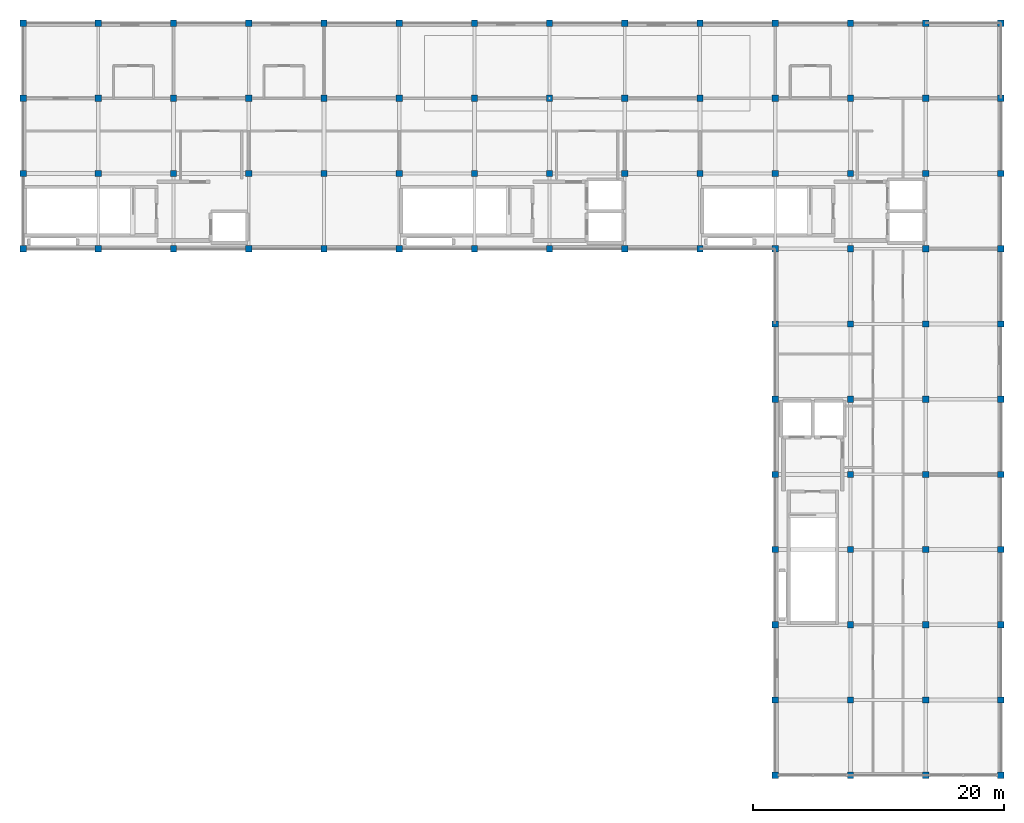
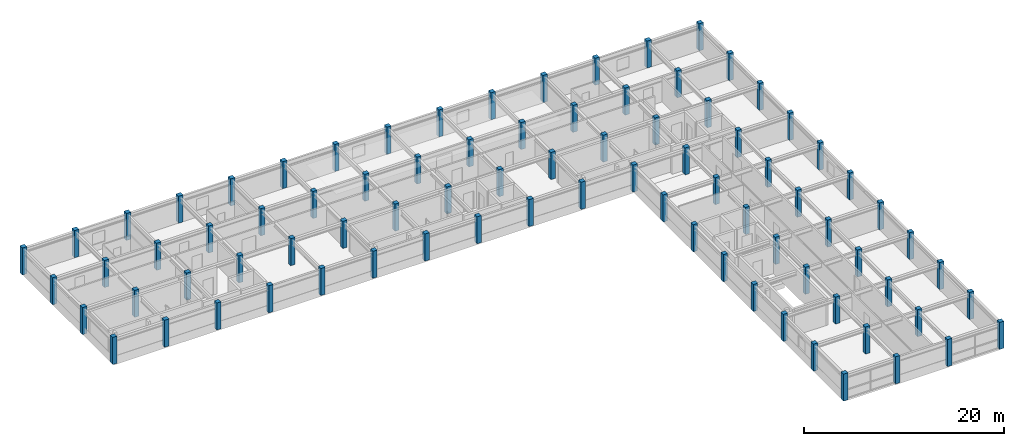
# One storey, part 1 of 11: 84 columns.
"""IFC4 building model written with IfcOpenShell, lengths in metres."""

from ifc_helpers import new_model, si_unit, direction, frame, origin, origin_2d, place, context, subcontext, project, spatial, rectangle, extrude, material, material_profile, profile_set, type_object, element, save


model = new_model("IFC4")

# Units and contexts
model_context = context("Model", 3, precision=1e-05, world=origin(), true_north=direction((0.0, 1.0)))
body_context = subcontext(model_context, "Body", "Model", "MODEL_VIEW")
ifc_project = project(units=[si_unit("LENGTHUNIT", "METRE"), si_unit("AREAUNIT", "SQUARE_METRE"), si_unit("VOLUMEUNIT", "CUBIC_METRE"), si_unit("PLANEANGLEUNIT", "RADIAN"), si_unit("MASSUNIT", "GRAM", prefix="KILO"), si_unit("THERMODYNAMICTEMPERATUREUNIT", "KELVIN"), si_unit("POWERUNIT", "WATT")], contexts=[model_context])

# Site, building, storey
site_placement = place(None, origin())
site = spatial("IfcSite", under=ifc_project, at=site_placement, CompositionType="ELEMENT")
building_placement = place(site_placement, origin())
building = spatial("IfcBuilding", under=site, at=building_placement, Name="Phaisarnlok Congress Hotel", CompositionType="ELEMENT")
storey_placement = place(building_placement, frame((0.0, 0.0, 51.300048828125)))
storey = spatial("IfcBuildingStorey", under=building, at=storey_placement, Name="L13", CompositionType="ELEMENT", Elevation=51.300048828125)

# Columns
ifc_material = material(Name="Concrete C50/60", Category="concrete")
ifc_material_profile_1 = material_profile(ifc_material, rectangle(XDim=0.5, YDim=0.5, at=origin_2d()), Name="RC 500x500")
ifc_profile_set_1 = profile_set([ifc_material_profile_1], Name="Concrete C50/60")
column_type_1 = type_object("IfcColumnType", Name="COL-RC-500", PredefinedType="COLUMN", material=ifc_profile_set_1)
for number, where, z_axis, x_axis, name in (
    (1, (102.0, 108.0, 0.0), (0.0, 0.0, 1.0), (1.0, 0.0, 0.0), "Column C-01 (L13)"),
    (2, (102.0, 114.0, 0.0), (0.0, 0.0, 1.0), (1.0, 0.0, 0.0), "Column C-01 (L13)"),
    (3, (102.0, 120.0, 0.0), (0.0, 0.0, 1.0), (1.0, 0.0, 0.0), "Column C-01 (L13)"),
    (4, (108.0, 108.0, 0.0), (0.0, 0.0, 1.0), (1.0, 0.0, 0.0), "Column C-01 (L13)"),
    (5, (108.0, 114.0, 0.0), (0.0, 0.0, 1.0), (1.0, 0.0, 0.0), "Column C-01 (L13)"),
    (6, (108.0, 120.0, 0.0), (0.0, 0.0, 1.0), (1.0, 0.0, 0.0), "Column C-01 (L13)"),
    (7, (114.0, 108.0, 0.0), (0.0, 0.0, 1.0), (1.0, 0.0, 0.0), "Column C-01 (L13)"),
    (8, (114.0, 114.0, 0.0), (0.0, 0.0, 1.0), (1.0, 0.0, 0.0), "Column C-01 (L13)"),
    (9, (114.0, 120.0, 0.0), (0.0, 0.0, 1.0), (1.0, 0.0, 0.0), "Column C-01 (L13)"),
    (10, (120.0, 108.0, 0.0), (0.0, 0.0, 1.0), (1.0, 0.0, 0.0), "Column C-01 (L13)"),
    (11, (120.0, 114.0, 0.0), (0.0, 0.0, 1.0), (1.0, 0.0, 0.0), "Column C-01 (L13)"),
    (12, (120.0, 120.0, 0.0), (0.0, 0.0, 1.0), (1.0, 0.0, 0.0), "Column C-01 (L13)"),
    (13, (126.0, 108.0, 0.0), (0.0, 0.0, 1.0), (1.0, 0.0, 0.0), "Column C-01 (L13)"),
    (14, (126.0, 114.0, 0.0), (0.0, 0.0, 1.0), (1.0, 0.0, 0.0), "Column C-01 (L13)"),
    (15, (126.0, 120.0, 0.0), (0.0, 0.0, 1.0), (1.0, 0.0, 0.0), "Column C-01 (L13)"),
    (16, (132.0, 108.0, 0.0), (0.0, 0.0, 1.0), (1.0, 0.0, 0.0), "Column C-01 (L13)"),
    (17, (132.0, 114.0, 0.0), (0.0, 0.0, 1.0), (1.0, 0.0, 0.0), "Column C-01 (L13)"),
    (18, (132.0, 120.0, 0.0), (0.0, 0.0, 1.0), (1.0, 0.0, 0.0), "Column C-01 (L13)"),
    (19, (138.0, 108.0, 0.0), (0.0, 0.0, 1.0), (1.0, 0.0, 0.0), "Column C-01 (L13)"),
    (20, (138.0, 114.0, 0.0), (0.0, 0.0, 1.0), (1.0, 0.0, 0.0), "Column C-01 (L13)"),
    (21, (138.0, 120.0, 0.0), (0.0, 0.0, 1.0), (1.0, 0.0, 0.0), "Column C-01 (L13)"),
    (22, (144.0, 108.0, 0.0), (0.0, 0.0, 1.0), (1.0, 0.0, 0.0), "Column C-01 (L13)"),
    (23, (144.0, 114.0, 0.0), (0.0, 0.0, 1.0), (1.0, 0.0, 0.0), "Column C-01 (L13)"),
    (24, (144.0, 120.0, 0.0), (0.0, 0.0, 1.0), (1.0, 0.0, 0.0), "Column C-01 (L13)"),
    (25, (150.0, 108.0, 0.0), (0.0, 0.0, 1.0), (1.0, 0.0, 0.0), "Column C-01 (L13)"),
    (26, (150.0, 114.0, 0.0), (0.0, 0.0, 1.0), (1.0, 0.0, 0.0), "Column C-01 (L13)"),
    (27, (150.0, 120.0, 0.0), (0.0, 0.0, 1.0), (1.0, 0.0, 0.0), "Column C-01 (L13)"),
    (28, (156.0, 108.0, 0.0), (0.0, 0.0, 1.0), (1.0, 0.0, 0.0), "Column C-01 (L13)"),
    (29, (156.0, 114.0, 0.0), (0.0, 0.0, 1.0), (1.0, 0.0, 0.0), "Column C-01 (L13)"),
    (30, (156.0, 120.0, 0.0), (0.0, 0.0, 1.0), (1.0, 0.0, 0.0), "Column C-01 (L13)"),
    (31, (162.0, 66.0, 0.0), (0.0, 0.0, 1.0), (1.0, 0.0, 0.0), "Column C-01 (L13)"),
    (32, (162.0, 72.0, 0.0), (0.0, 0.0, 1.0), (1.0, 0.0, 0.0), "Column C-01 (L13)"),
    (33, (162.0, 78.0, 0.0), (0.0, 0.0, 1.0), (1.0, 0.0, 0.0), "Column C-01 (L13)"),
    (34, (162.0, 84.0, 0.0), (0.0, 0.0, 1.0), (1.0, 0.0, 0.0), "Column C-01 (L13)"),
    (35, (162.0, 90.0, 0.0), (0.0, 0.0, 1.0), (1.0, 0.0, 0.0), "Column C-01 (L13)"),
    (36, (162.0, 96.0, 0.0), (0.0, 0.0, 1.0), (1.0, 0.0, 0.0), "Column C-01 (L13)"),
    (37, (162.0, 102.0, 0.0), (0.0, 0.0, 1.0), (1.0, 0.0, 0.0), "Column C-01 (L13)"),
    (38, (162.0, 108.0, 0.0), (0.0, 0.0, 1.0), (1.0, 0.0, 0.0), "Column C-01 (L13)"),
    (39, (162.0, 114.0, 0.0), (0.0, 0.0, 1.0), (1.0, 0.0, 0.0), "Column C-01 (L13)"),
    (40, (162.0, 120.0, 0.0), (0.0, 0.0, 1.0), (1.0, 0.0, 0.0), "Column C-01 (L13)"),
    (41, (168.0, 66.0, 0.0), (0.0, 0.0, 1.0), (1.0, 0.0, 0.0), "Column C-01 (L13)"),
    (42, (168.0, 72.0, 0.0), (0.0, 0.0, 1.0), (1.0, 0.0, 0.0), "Column C-01 (L13)"),
    (43, (168.0, 78.0, 0.0), (0.0, 0.0, 1.0), (1.0, 0.0, 0.0), "Column C-01 (L13)"),
    (44, (168.0, 84.0, 0.0), (0.0, 0.0, 1.0), (1.0, 0.0, 0.0), "Column C-01 (L13)"),
    (45, (168.0, 90.0, 0.0), (0.0, 0.0, 1.0), (1.0, 0.0, 0.0), "Column C-01 (L13)"),
    (46, (168.0, 96.0, 0.0), (0.0, 0.0, 1.0), (1.0, 0.0, 0.0), "Column C-01 (L13)"),
    (47, (168.0, 102.0, 0.0), (0.0, 0.0, 1.0), (1.0, 0.0, 0.0), "Column C-01 (L13)"),
    (48, (168.0, 108.0, 0.0), (0.0, 0.0, 1.0), (1.0, 0.0, 0.0), "Column C-01 (L13)"),
    (49, (168.0, 114.0, 0.0), (0.0, 0.0, 1.0), (1.0, 0.0, 0.0), "Column C-01 (L13)"),
    (50, (168.0, 120.0, 0.0), (0.0, 0.0, 1.0), (1.0, 0.0, 0.0), "Column C-01 (L13)"),
    (51, (174.0, 66.0, 0.0), (0.0, 0.0, 1.0), (1.0, 0.0, 0.0), "Column C-01 (L13)"),
    (52, (174.0, 72.0, 0.0), (0.0, 0.0, 1.0), (1.0, 0.0, 0.0), "Column C-01 (L13)"),
    (53, (174.0, 78.0, 0.0), (0.0, 0.0, 1.0), (1.0, 0.0, 0.0), "Column C-01 (L13)"),
    (54, (174.0, 84.0, 0.0), (0.0, 0.0, 1.0), (1.0, 0.0, 0.0), "Column C-01 (L13)"),
    (55, (174.0, 90.0, 0.0), (0.0, 0.0, 1.0), (1.0, 0.0, 0.0), "Column C-01 (L13)"),
    (56, (174.0, 96.0, 0.0), (0.0, 0.0, 1.0), (1.0, 0.0, 0.0), "Column C-01 (L13)"),
    (57, (174.0, 102.0, 0.0), (0.0, 0.0, 1.0), (1.0, 0.0, 0.0), "Column C-01 (L13)"),
    (58, (174.0, 108.0, 0.0), (0.0, 0.0, 1.0), (1.0, 0.0, 0.0), "Column C-01 (L13)"),
    (59, (174.0, 114.0, 0.0), (0.0, 0.0, 1.0), (1.0, 0.0, 0.0), "Column C-01 (L13)"),
    (60, (174.0, 120.0, 0.0), (0.0, 0.0, 1.0), (1.0, 0.0, 0.0), "Column C-01 (L13)"),
):
    element("IfcColumn", number, at=place(storey_placement, frame(where, z_axis=z_axis, x_axis=x_axis)), inside=storey, type_object=column_type_1, Name=name, PredefinedType="COLUMN", context=body_context, shape_type="SweptSolid", body=[
        extrude(rectangle(XDim=0.5, YDim=0.5, at=origin_2d()), origin(), (0.0, 0.0, 1.0), 3.300048828125),
    ])
ifc_material_profile_2 = material_profile(ifc_material, rectangle(XDim=0.5, YDim=0.5, at=origin_2d()), Name="RC 500x500")
ifc_profile_set_2 = profile_set([ifc_material_profile_2], Name="Concrete C50/60")
column_type_2 = type_object("IfcColumnType", Name="COL-RC-500-EXT", PredefinedType="COLUMN", material=ifc_profile_set_2)
for number, where, z_axis, x_axis, name in (
    (61, (102.0, 126.0, 0.0), (0.0, 0.0, 1.0), (1.0, 0.0, 0.0), "Column C-01E (L13)"),
    (62, (108.0, 126.0, 0.0), (0.0, 0.0, 1.0), (1.0, 0.0, 0.0), "Column C-01E (L13)"),
    (63, (114.0, 126.0, 0.0), (0.0, 0.0, 1.0), (1.0, 0.0, 0.0), "Column C-01E (L13)"),
    (64, (120.0, 126.0, 0.0), (0.0, 0.0, 1.0), (1.0, 0.0, 0.0), "Column C-01E (L13)"),
    (65, (126.0, 126.0, 0.0), (0.0, 0.0, 1.0), (1.0, 0.0, 0.0), "Column C-01E (L13)"),
    (66, (132.0, 126.0, 0.0), (0.0, 0.0, 1.0), (1.0, 0.0, 0.0), "Column C-01E (L13)"),
    (67, (138.0, 126.0, 0.0), (0.0, 0.0, 1.0), (1.0, 0.0, 0.0), "Column C-01E (L13)"),
    (68, (144.0, 126.0, 0.0), (0.0, 0.0, 1.0), (1.0, 0.0, 0.0), "Column C-01E (L13)"),
    (69, (150.0, 126.0, 0.0), (0.0, 0.0, 1.0), (1.0, 0.0, 0.0), "Column C-01E (L13)"),
    (70, (156.0, 126.0, 0.0), (0.0, 0.0, 1.0), (1.0, 0.0, 0.0), "Column C-01E (L13)"),
    (71, (162.0, 126.0, 0.0), (0.0, 0.0, 1.0), (1.0, 0.0, 0.0), "Column C-01E (L13)"),
    (72, (168.0, 126.0, 0.0), (0.0, 0.0, 1.0), (1.0, 0.0, 0.0), "Column C-01E (L13)"),
    (73, (174.0, 126.0, 0.0), (0.0, 0.0, 1.0), (1.0, 0.0, 0.0), "Column C-01E (L13)"),
    (74, (180.0, 66.0, 0.0), (0.0, 0.0, 1.0), (1.0, 0.0, 0.0), "Column C-01E (L13)"),
    (75, (180.0, 72.0, 0.0), (0.0, 0.0, 1.0), (1.0, 0.0, 0.0), "Column C-01E (L13)"),
    (76, (180.0, 78.0, 0.0), (0.0, 0.0, 1.0), (1.0, 0.0, 0.0), "Column C-01E (L13)"),
    (77, (180.0, 84.0, 0.0), (0.0, 0.0, 1.0), (1.0, 0.0, 0.0), "Column C-01E (L13)"),
    (78, (180.0, 90.0, 0.0), (0.0, 0.0, 1.0), (1.0, 0.0, 0.0), "Column C-01E (L13)"),
    (79, (180.0, 96.0, 0.0), (0.0, 0.0, 1.0), (1.0, 0.0, 0.0), "Column C-01E (L13)"),
    (80, (180.0, 102.0, 0.0), (0.0, 0.0, 1.0), (1.0, 0.0, 0.0), "Column C-01E (L13)"),
    (81, (180.0, 108.0, 0.0), (0.0, 0.0, 1.0), (1.0, 0.0, 0.0), "Column C-01E (L13)"),
    (82, (180.0, 114.0, 0.0), (0.0, 0.0, 1.0), (1.0, 0.0, 0.0), "Column C-01E (L13)"),
    (83, (180.0, 120.0, 0.0), (0.0, 0.0, 1.0), (1.0, 0.0, 0.0), "Column C-01E (L13)"),
    (84, (180.0, 126.0, 0.0), (0.0, 0.0, 1.0), (1.0, 0.0, 0.0), "Column C-01E (L13)"),
):
    element("IfcColumn", number, at=place(storey_placement, frame(where, z_axis=z_axis, x_axis=x_axis)), inside=storey, type_object=column_type_2, Name=name, PredefinedType="COLUMN", context=body_context, shape_type="SweptSolid", body=[
        extrude(rectangle(XDim=0.5, YDim=0.5, at=origin_2d()), origin(), (0.0, 0.0, 1.0), 3.300048828125),
    ])

save(model, "model.ifc")
